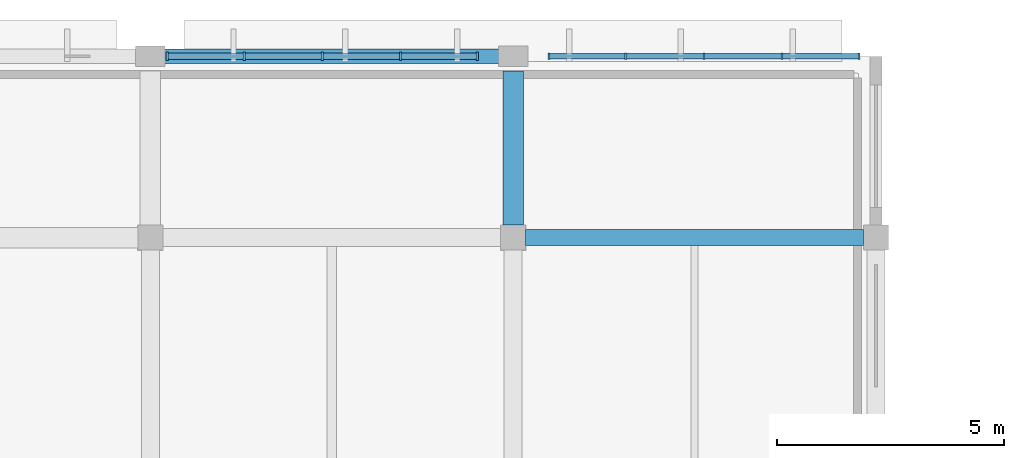
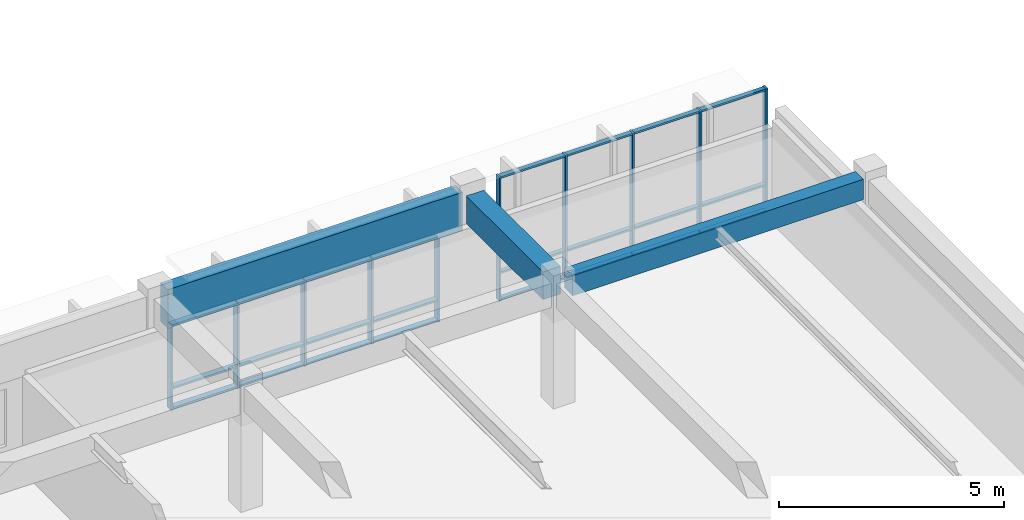
# One storey, part 25 of 155: 34 members, 3 beams, 2 elements without a shape of their own.
"""IFC4 building model written with IfcOpenShell, lengths in metres."""

from ifc_helpers import new_model, si_unit, direction, frame, origin, origin_2d, place, context, subcontext, project, spatial, rectangle, extrude, material, material_profile, profile_set, type_object, element, aggregate, save


model = new_model("IFC4")

# Units and contexts
model_context = context("Model", 3, precision=1e-05, world=origin(), true_north=direction((0.0, 1.0)))
body_context = subcontext(model_context, "Body", "Model", "MODEL_VIEW")
ifc_project = project(units=[si_unit("LENGTHUNIT", "METRE"), si_unit("AREAUNIT", "SQUARE_METRE"), si_unit("VOLUMEUNIT", "CUBIC_METRE"), si_unit("PLANEANGLEUNIT", "RADIAN"), si_unit("MASSUNIT", "GRAM", prefix="KILO")], contexts=[model_context])

# Site, building, storey
site_placement = place(None, origin())
site = spatial("IfcSite", under=ifc_project, at=site_placement, CompositionType="ELEMENT")
building_placement = place(site_placement, origin())
building = spatial("IfcBuilding", under=site, at=building_placement, Name="Larkveld Mobility Hub", CompositionType="ELEMENT")
storey_placement = place(building_placement, frame((0.0, 0.0, 8.39990234375)))
storey = spatial("IfcBuildingStorey", under=building, at=storey_placement, Name="L02", CompositionType="ELEMENT", Elevation=8.39990234375)

# Beams
ifc_material_1 = material(Name="Concrete C40/50", Category="concrete")
ifc_material_profile_1 = material_profile(ifc_material_1, rectangle(XDim=0.35009765625, YDim=0.550048828125, at=origin_2d()), Name="RC BM 350x550")
ifc_profile_set_1 = profile_set([ifc_material_profile_1], Name="Concrete C40/50")
beam_type_1 = type_object("IfcBeamType", Name="BM-RC3555", PredefinedType="BEAM", material=ifc_profile_set_1)
beam_1_placement = place(storey_placement, frame((88.27490234375, 122.0, 3.085205078125), z_axis=(1.0, 0.0, 0.0), x_axis=(0.0, 1.0, 0.0)))
element("IfcBeam", 1, at=beam_1_placement, inside=storey, type_object=beam_type_1, Name="Primary E-W Girder L02-0579", PredefinedType="BEAM", context=body_context, shape_type="SweptSolid", body=[
    extrude(rectangle(XDim=0.35009765625, YDim=0.550048828125, at=origin_2d()), origin(), (0.0, 0.0, 1.0), 7.4501953125),
])
ifc_material_profile_2 = material_profile(ifc_material_1, rectangle(XDim=0.449951171875, YDim=0.75, at=origin_2d()), Name="RC BM 450x750")
ifc_profile_set_2 = profile_set([ifc_material_profile_2], Name="Concrete C40/50")
beam_type_2 = type_object("IfcBeamType", Name="BM-RC4575", PredefinedType="BEAM", material=ifc_profile_set_2)
beam_2_placement = place(storey_placement, frame((88.0, 122.27490234375, 2.985107421875), z_axis=(0.0, 1.0, 0.0), x_axis=(-1.0, 0.0, 0.0)))
element("IfcBeam", 2, at=beam_2_placement, inside=storey, type_object=beam_type_2, Name="Primary N-S Girder L02-0617", PredefinedType="BEAM", context=body_context, shape_type="SweptSolid", body=[
    extrude(rectangle(XDim=0.449951171875, YDim=0.75, at=origin_2d()), origin(), (0.0, 0.0, 1.0), 3.400146484375),
])
ifc_material_2 = material(Name="Precast concrete C50/60", Category="concrete")
ifc_material_profile_3 = material_profile(ifc_material_2, rectangle(XDim=0.320068359375, YDim=1.050048828125, at=origin_2d()), Name="PC SP 320x1050")
ifc_profile_set_3 = profile_set([ifc_material_profile_3], Name="Precast concrete C50/60")
beam_type_3 = type_object("IfcBeamType", Name="BM-SP32105", PredefinedType="SPANDREL", material=ifc_profile_set_3)
beam_3_placement = place(storey_placement, frame((80.22509765625, 126.0, 2.835205078125), z_axis=(1.0, 0.0, 0.0), x_axis=(0.0, 1.0, 0.0)))
element("IfcBeam", 3, at=beam_3_placement, inside=storey, type_object=beam_type_3, Name="Primary E-W Girder L02-0587", PredefinedType="SPANDREL", context=body_context, shape_type="SweptSolid", body=[
    extrude(rectangle(XDim=0.320068359375, YDim=1.050048828125, at=origin_2d()), origin(), (0.0, 0.0, 1.0), 7.5498046875),
])

# Curtain wall, members
ifc_material_3 = material(Name="Anodised aluminium 6063-T6", Category="aluminium")
curtain_wall_type_1 = type_object("IfcCurtainWallType", Name="CW-SYS-01", PredefinedType="NOTDEFINED", material=ifc_material_3)
curtain_wall_1_placement = place(storey_placement, origin())
curtain_wall_1 = element("IfcCurtainWall", 4, at=curtain_wall_1_placement, inside=storey, type_object=curtain_wall_type_1, Name="Bicycle Hall North Curtain Wall L02 CW-085", PredefinedType="NOTDEFINED")
ifc_material_profile_4 = material_profile(ifc_material_3, rectangle(XDim=0.050048828125, YDim=0.14990234375, at=origin_2d()), Name="ALU MULL 50x150")
ifc_profile_set_4 = profile_set([ifc_material_profile_4], Name="Anodised aluminium 6063-T6")
member_type_1 = type_object("IfcMemberType", Name="CW-MUL-01", PredefinedType="MULLION", material=ifc_profile_set_4)
member_1_placement = place(storey_placement, frame((95.625, 126.0, -0.001953125), z_axis=(0.0, 0.0, 1.0), x_axis=(-1.0, 0.0, 0.0)))
member_1 = element("IfcMember", 5, at=member_1_placement, type_object=member_type_1, Name="CW01 mullion 1", PredefinedType="MULLION", context=body_context, shape_type="SweptSolid", body=[
    extrude(rectangle(XDim=0.050048828125, YDim=0.14990234375, at=origin_2d()), origin(), (0.0, 0.0, 1.0), 3.362060546875),
])
member_2_placement = place(storey_placement, frame((93.928955078125, 126.0, -0.001953125), z_axis=(0.0, 0.0, 1.0), x_axis=(-1.0, 0.0, 0.0)))
member_2 = element("IfcMember", 6, at=member_2_placement, type_object=member_type_1, Name="CW01 mullion 2", PredefinedType="MULLION", context=body_context, shape_type="SweptSolid", body=[
    extrude(rectangle(XDim=0.050048828125, YDim=0.14990234375, at=origin_2d()), origin(), (0.0, 0.0, 1.0), 3.362060546875),
])
member_3_placement = place(storey_placement, frame((92.2080078125, 126.0, -0.001953125), z_axis=(0.0, 0.0, 1.0), x_axis=(-1.0, 0.0, 0.0)))
member_3 = element("IfcMember", 7, at=member_3_placement, type_object=member_type_1, Name="CW01 mullion 3", PredefinedType="MULLION", context=body_context, shape_type="SweptSolid", body=[
    extrude(rectangle(XDim=0.050048828125, YDim=0.14990234375, at=origin_2d()), origin(), (0.0, 0.0, 1.0), 3.362060546875),
])
member_4_placement = place(storey_placement, frame((90.486083984375, 126.0, -0.001953125), z_axis=(0.0, 0.0, 1.0), x_axis=(-1.0, 0.0, 0.0)))
member_4 = element("IfcMember", 8, at=member_4_placement, type_object=member_type_1, Name="CW01 mullion 4", PredefinedType="MULLION", context=body_context, shape_type="SweptSolid", body=[
    extrude(rectangle(XDim=0.050048828125, YDim=0.14990234375, at=origin_2d()), origin(), (0.0, 0.0, 1.0), 3.362060546875),
])
member_5_placement = place(storey_placement, frame((88.7900390625, 126.0, -0.001953125), z_axis=(0.0, 0.0, 1.0), x_axis=(-1.0, 0.0, 0.0)))
member_5 = element("IfcMember", 9, at=member_5_placement, type_object=member_type_1, Name="CW01 mullion 5", PredefinedType="MULLION", context=body_context, shape_type="SweptSolid", body=[
    extrude(rectangle(XDim=0.050048828125, YDim=0.14990234375, at=origin_2d()), origin(), (0.0, 0.0, 1.0), 3.362060546875),
])

curtain_wall_type_2 = type_object("IfcCurtainWallType", Name="CW-SYS-02", PredefinedType="NOTDEFINED", material=ifc_material_3)
curtain_wall_2_placement = place(storey_placement, origin())
curtain_wall_2 = element("IfcCurtainWall", 10, at=curtain_wall_2_placement, inside=storey, type_object=curtain_wall_type_2, Name="Bicycle Hall North Curtain Wall L02 CW-086", PredefinedType="NOTDEFINED")
ifc_material_profile_5 = material_profile(ifc_material_3, rectangle(XDim=0.050048828125, YDim=0.179931640625, at=origin_2d()), Name="ALU MULL 50x180")
ifc_profile_set_5 = profile_set([ifc_material_profile_5], Name="Anodised aluminium 6063-T6")
member_type_2 = type_object("IfcMemberType", Name="CW-MUL-02", PredefinedType="MULLION", material=ifc_profile_set_5)
member_6_placement = place(storey_placement, frame((87.2099609375, 126.0, -0.001953125), z_axis=(0.0, 0.0, 1.0), x_axis=(-1.0, 0.0, 0.0)))
member_6 = element("IfcMember", 11, at=member_6_placement, type_object=member_type_2, Name="CW02 mullion 1", PredefinedType="MULLION", context=body_context, shape_type="SweptSolid", body=[
    extrude(rectangle(XDim=0.050048828125, YDim=0.179931640625, at=origin_2d()), origin(), (0.0, 0.0, 1.0), 2.31201171875),
])
member_7_placement = place(storey_placement, frame((85.513916015625, 126.0, -0.001953125), z_axis=(0.0, 0.0, 1.0), x_axis=(-1.0, 0.0, 0.0)))
member_7 = element("IfcMember", 12, at=member_7_placement, type_object=member_type_2, Name="CW02 mullion 2", PredefinedType="MULLION", context=body_context, shape_type="SweptSolid", body=[
    extrude(rectangle(XDim=0.050048828125, YDim=0.179931640625, at=origin_2d()), origin(), (0.0, 0.0, 1.0), 2.31201171875),
])
member_8_placement = place(storey_placement, frame((83.79296875, 126.0, -0.001953125), z_axis=(0.0, 0.0, 1.0), x_axis=(-1.0, 0.0, 0.0)))
member_8 = element("IfcMember", 13, at=member_8_placement, type_object=member_type_2, Name="CW02 mullion 3", PredefinedType="MULLION", context=body_context, shape_type="SweptSolid", body=[
    extrude(rectangle(XDim=0.050048828125, YDim=0.179931640625, at=origin_2d()), origin(), (0.0, 0.0, 1.0), 2.31201171875),
])
member_9_placement = place(storey_placement, frame((82.071044921875, 126.0, -0.001953125), z_axis=(0.0, 0.0, 1.0), x_axis=(-1.0, 0.0, 0.0)))
member_9 = element("IfcMember", 14, at=member_9_placement, type_object=member_type_2, Name="CW02 mullion 4", PredefinedType="MULLION", context=body_context, shape_type="SweptSolid", body=[
    extrude(rectangle(XDim=0.050048828125, YDim=0.179931640625, at=origin_2d()), origin(), (0.0, 0.0, 1.0), 2.31201171875),
])
member_10_placement = place(storey_placement, frame((80.375, 126.0, -0.001953125), z_axis=(0.0, 0.0, 1.0), x_axis=(-1.0, 0.0, 0.0)))
member_10 = element("IfcMember", 15, at=member_10_placement, type_object=member_type_2, Name="CW02 mullion 5", PredefinedType="MULLION", context=body_context, shape_type="SweptSolid", body=[
    extrude(rectangle(XDim=0.050048828125, YDim=0.179931640625, at=origin_2d()), origin(), (0.0, 0.0, 1.0), 2.31201171875),
])

# Member
ifc_material_profile_6 = material_profile(ifc_material_3, rectangle(XDim=0.1201171875, YDim=0.050048828125, at=origin_2d()), Name="ALU TRAN 50x120")
ifc_profile_set_6 = profile_set([ifc_material_profile_6], Name="Anodised aluminium 6063-T6")
member_type_3 = type_object("IfcMemberType", Name="CW-TRN-01", PredefinedType="USERDEFINED", material=ifc_profile_set_6)
member_11_placement = place(storey_placement, frame((95.614990234375, 126.0, 0.030029296875), z_axis=(-1.0, 0.0, 0.0), x_axis=(0.0, -1.0, 0.0)))
member_11 = element("IfcMember", 16, at=member_11_placement, type_object=member_type_3, Name="CW01 transom 1.1", ObjectType="TRANSOM", PredefinedType="USERDEFINED", context=body_context, shape_type="SweptSolid", body=[
    extrude(rectangle(XDim=0.1201171875, YDim=0.050048828125, at=origin_2d()), origin(), (0.0, 0.0, 1.0), 1.6708984375),
])

member_12_placement = place(storey_placement, frame((95.614990234375, 126.0, 0.75), z_axis=(-1.0, 0.0, 0.0), x_axis=(0.0, -1.0, 0.0)))
member_12 = element("IfcMember", 17, at=member_12_placement, type_object=member_type_3, Name="CW01 transom 1.2", ObjectType="TRANSOM", PredefinedType="USERDEFINED", context=body_context, shape_type="SweptSolid", body=[
    extrude(rectangle(XDim=0.1201171875, YDim=0.050048828125, at=origin_2d()), origin(), (0.0, 0.0, 1.0), 1.6708984375),
])

member_13_placement = place(storey_placement, frame((95.614990234375, 126.0, 3.328125), z_axis=(-1.0, 0.0, 0.0), x_axis=(0.0, -1.0, 0.0)))
member_13 = element("IfcMember", 18, at=member_13_placement, type_object=member_type_3, Name="CW01 transom 1.3", ObjectType="TRANSOM", PredefinedType="USERDEFINED", context=body_context, shape_type="SweptSolid", body=[
    extrude(rectangle(XDim=0.1201171875, YDim=0.050048828125, at=origin_2d()), origin(), (0.0, 0.0, 1.0), 1.6708984375),
])

member_14_placement = place(storey_placement, frame((93.9140625, 126.0, 0.030029296875), z_axis=(-1.0, 0.0, 0.0), x_axis=(0.0, -1.0, 0.0)))
member_14 = element("IfcMember", 19, at=member_14_placement, type_object=member_type_3, Name="CW01 transom 2.1", ObjectType="TRANSOM", PredefinedType="USERDEFINED", context=body_context, shape_type="SweptSolid", body=[
    extrude(rectangle(XDim=0.1201171875, YDim=0.050048828125, at=origin_2d()), origin(), (0.0, 0.0, 1.0), 1.691162109375),
])

member_15_placement = place(storey_placement, frame((93.9140625, 126.0, 0.75), z_axis=(-1.0, 0.0, 0.0), x_axis=(0.0, -1.0, 0.0)))
member_15 = element("IfcMember", 20, at=member_15_placement, type_object=member_type_3, Name="CW01 transom 2.2", ObjectType="TRANSOM", PredefinedType="USERDEFINED", context=body_context, shape_type="SweptSolid", body=[
    extrude(rectangle(XDim=0.1201171875, YDim=0.050048828125, at=origin_2d()), origin(), (0.0, 0.0, 1.0), 1.691162109375),
])

member_16_placement = place(storey_placement, frame((93.9140625, 126.0, 3.328125), z_axis=(-1.0, 0.0, 0.0), x_axis=(0.0, -1.0, 0.0)))
member_16 = element("IfcMember", 21, at=member_16_placement, type_object=member_type_3, Name="CW01 transom 2.3", ObjectType="TRANSOM", PredefinedType="USERDEFINED", context=body_context, shape_type="SweptSolid", body=[
    extrude(rectangle(XDim=0.1201171875, YDim=0.050048828125, at=origin_2d()), origin(), (0.0, 0.0, 1.0), 1.691162109375),
])

member_17_placement = place(storey_placement, frame((92.193115234375, 126.0, 0.030029296875), z_axis=(-1.0, 0.0, 0.0), x_axis=(0.0, -1.0, 0.0)))
member_17 = element("IfcMember", 22, at=member_17_placement, type_object=member_type_3, Name="CW01 transom 3.1", ObjectType="TRANSOM", PredefinedType="USERDEFINED", context=body_context, shape_type="SweptSolid", body=[
    extrude(rectangle(XDim=0.1201171875, YDim=0.050048828125, at=origin_2d()), origin(), (0.0, 0.0, 1.0), 1.692138671875),
])

member_18_placement = place(storey_placement, frame((92.193115234375, 126.0, 0.75), z_axis=(-1.0, 0.0, 0.0), x_axis=(0.0, -1.0, 0.0)))
member_18 = element("IfcMember", 23, at=member_18_placement, type_object=member_type_3, Name="CW01 transom 3.2", ObjectType="TRANSOM", PredefinedType="USERDEFINED", context=body_context, shape_type="SweptSolid", body=[
    extrude(rectangle(XDim=0.1201171875, YDim=0.050048828125, at=origin_2d()), origin(), (0.0, 0.0, 1.0), 1.692138671875),
])

member_19_placement = place(storey_placement, frame((92.193115234375, 126.0, 3.328125), z_axis=(-1.0, 0.0, 0.0), x_axis=(0.0, -1.0, 0.0)))
member_19 = element("IfcMember", 24, at=member_19_placement, type_object=member_type_3, Name="CW01 transom 3.3", ObjectType="TRANSOM", PredefinedType="USERDEFINED", context=body_context, shape_type="SweptSolid", body=[
    extrude(rectangle(XDim=0.1201171875, YDim=0.050048828125, at=origin_2d()), origin(), (0.0, 0.0, 1.0), 1.692138671875),
])

member_20_placement = place(storey_placement, frame((90.470947265625, 126.0, 0.030029296875), z_axis=(-1.0, 0.0, 0.0), x_axis=(0.0, -1.0, 0.0)))
member_20 = element("IfcMember", 25, at=member_20_placement, type_object=member_type_3, Name="CW01 transom 4.1", ObjectType="TRANSOM", PredefinedType="USERDEFINED", context=body_context, shape_type="SweptSolid", body=[
    extrude(rectangle(XDim=0.1201171875, YDim=0.050048828125, at=origin_2d()), origin(), (0.0, 0.0, 1.0), 1.6708984375),
])

member_21_placement = place(storey_placement, frame((90.470947265625, 126.0, 0.75), z_axis=(-1.0, 0.0, 0.0), x_axis=(0.0, -1.0, 0.0)))
member_21 = element("IfcMember", 26, at=member_21_placement, type_object=member_type_3, Name="CW01 transom 4.2", ObjectType="TRANSOM", PredefinedType="USERDEFINED", context=body_context, shape_type="SweptSolid", body=[
    extrude(rectangle(XDim=0.1201171875, YDim=0.050048828125, at=origin_2d()), origin(), (0.0, 0.0, 1.0), 1.6708984375),
])

member_22_placement = place(storey_placement, frame((90.470947265625, 126.0, 3.328125), z_axis=(-1.0, 0.0, 0.0), x_axis=(0.0, -1.0, 0.0)))
member_22 = element("IfcMember", 27, at=member_22_placement, type_object=member_type_3, Name="CW01 transom 4.3", ObjectType="TRANSOM", PredefinedType="USERDEFINED", context=body_context, shape_type="SweptSolid", body=[
    extrude(rectangle(XDim=0.1201171875, YDim=0.050048828125, at=origin_2d()), origin(), (0.0, 0.0, 1.0), 1.6708984375),
])

aggregate(curtain_wall_1, [member_1, member_2, member_3, member_4, member_5, member_11, member_12, member_13, member_14, member_15, member_16, member_17, member_18, member_19, member_20, member_21, member_22])

ifc_material_profile_7 = material_profile(ifc_material_3, rectangle(XDim=0.14990234375, YDim=0.050048828125, at=origin_2d()), Name="ALU TRAN 50x150")
ifc_profile_set_7 = profile_set([ifc_material_profile_7], Name="Anodised aluminium 6063-T6")
member_type_4 = type_object("IfcMemberType", Name="CW-TRN-02", PredefinedType="USERDEFINED", material=ifc_profile_set_7)
member_23_placement = place(storey_placement, frame((87.199951171875, 126.0, 0.030029296875), z_axis=(-1.0, 0.0, 0.0), x_axis=(0.0, -1.0, 0.0)))
member_23 = element("IfcMember", 28, at=member_23_placement, type_object=member_type_4, Name="CW02 transom 1.1", ObjectType="TRANSOM", PredefinedType="USERDEFINED", context=body_context, shape_type="SweptSolid", body=[
    extrude(rectangle(XDim=0.14990234375, YDim=0.050048828125, at=origin_2d()), origin(), (0.0, 0.0, 1.0), 1.6708984375),
])

member_24_placement = place(storey_placement, frame((87.199951171875, 126.0, 0.5771484375), z_axis=(-1.0, 0.0, 0.0), x_axis=(0.0, -1.0, 0.0)))
member_24 = element("IfcMember", 29, at=member_24_placement, type_object=member_type_4, Name="CW02 transom 1.2", ObjectType="TRANSOM", PredefinedType="USERDEFINED", context=body_context, shape_type="SweptSolid", body=[
    extrude(rectangle(XDim=0.14990234375, YDim=0.050048828125, at=origin_2d()), origin(), (0.0, 0.0, 1.0), 1.6708984375),
])

member_25_placement = place(storey_placement, frame((87.199951171875, 126.0, 2.278076171875), z_axis=(-1.0, 0.0, 0.0), x_axis=(0.0, -1.0, 0.0)))
member_25 = element("IfcMember", 30, at=member_25_placement, type_object=member_type_4, Name="CW02 transom 1.3", ObjectType="TRANSOM", PredefinedType="USERDEFINED", context=body_context, shape_type="SweptSolid", body=[
    extrude(rectangle(XDim=0.14990234375, YDim=0.050048828125, at=origin_2d()), origin(), (0.0, 0.0, 1.0), 1.6708984375),
])

member_26_placement = place(storey_placement, frame((85.4990234375, 126.0, 0.030029296875), z_axis=(-1.0, 0.0, 0.0), x_axis=(0.0, -1.0, 0.0)))
member_26 = element("IfcMember", 31, at=member_26_placement, type_object=member_type_4, Name="CW02 transom 2.1", ObjectType="TRANSOM", PredefinedType="USERDEFINED", context=body_context, shape_type="SweptSolid", body=[
    extrude(rectangle(XDim=0.14990234375, YDim=0.050048828125, at=origin_2d()), origin(), (0.0, 0.0, 1.0), 1.69091796875),
])

member_27_placement = place(storey_placement, frame((85.4990234375, 126.0, 0.5771484375), z_axis=(-1.0, 0.0, 0.0), x_axis=(0.0, -1.0, 0.0)))
member_27 = element("IfcMember", 32, at=member_27_placement, type_object=member_type_4, Name="CW02 transom 2.2", ObjectType="TRANSOM", PredefinedType="USERDEFINED", context=body_context, shape_type="SweptSolid", body=[
    extrude(rectangle(XDim=0.14990234375, YDim=0.050048828125, at=origin_2d()), origin(), (0.0, 0.0, 1.0), 1.69091796875),
])

member_28_placement = place(storey_placement, frame((85.4990234375, 126.0, 2.278076171875), z_axis=(-1.0, 0.0, 0.0), x_axis=(0.0, -1.0, 0.0)))
member_28 = element("IfcMember", 33, at=member_28_placement, type_object=member_type_4, Name="CW02 transom 2.3", ObjectType="TRANSOM", PredefinedType="USERDEFINED", context=body_context, shape_type="SweptSolid", body=[
    extrude(rectangle(XDim=0.14990234375, YDim=0.050048828125, at=origin_2d()), origin(), (0.0, 0.0, 1.0), 1.69091796875),
])

member_29_placement = place(storey_placement, frame((83.778076171875, 126.0, 0.030029296875), z_axis=(-1.0, 0.0, 0.0), x_axis=(0.0, -1.0, 0.0)))
member_29 = element("IfcMember", 34, at=member_29_placement, type_object=member_type_4, Name="CW02 transom 3.1", ObjectType="TRANSOM", PredefinedType="USERDEFINED", context=body_context, shape_type="SweptSolid", body=[
    extrude(rectangle(XDim=0.14990234375, YDim=0.050048828125, at=origin_2d()), origin(), (0.0, 0.0, 1.0), 1.692138671875),
])

member_30_placement = place(storey_placement, frame((83.778076171875, 126.0, 0.5771484375), z_axis=(-1.0, 0.0, 0.0), x_axis=(0.0, -1.0, 0.0)))
member_30 = element("IfcMember", 35, at=member_30_placement, type_object=member_type_4, Name="CW02 transom 3.2", ObjectType="TRANSOM", PredefinedType="USERDEFINED", context=body_context, shape_type="SweptSolid", body=[
    extrude(rectangle(XDim=0.14990234375, YDim=0.050048828125, at=origin_2d()), origin(), (0.0, 0.0, 1.0), 1.692138671875),
])

member_31_placement = place(storey_placement, frame((83.778076171875, 126.0, 2.278076171875), z_axis=(-1.0, 0.0, 0.0), x_axis=(0.0, -1.0, 0.0)))
member_31 = element("IfcMember", 36, at=member_31_placement, type_object=member_type_4, Name="CW02 transom 3.3", ObjectType="TRANSOM", PredefinedType="USERDEFINED", context=body_context, shape_type="SweptSolid", body=[
    extrude(rectangle(XDim=0.14990234375, YDim=0.050048828125, at=origin_2d()), origin(), (0.0, 0.0, 1.0), 1.692138671875),
])

member_32_placement = place(storey_placement, frame((82.055908203125, 126.0, 0.030029296875), z_axis=(-1.0, 0.0, 0.0), x_axis=(0.0, -1.0, 0.0)))
member_32 = element("IfcMember", 37, at=member_32_placement, type_object=member_type_4, Name="CW02 transom 4.1", ObjectType="TRANSOM", PredefinedType="USERDEFINED", context=body_context, shape_type="SweptSolid", body=[
    extrude(rectangle(XDim=0.14990234375, YDim=0.050048828125, at=origin_2d()), origin(), (0.0, 0.0, 1.0), 1.6708984375),
])

member_33_placement = place(storey_placement, frame((82.055908203125, 126.0, 0.5771484375), z_axis=(-1.0, 0.0, 0.0), x_axis=(0.0, -1.0, 0.0)))
member_33 = element("IfcMember", 38, at=member_33_placement, type_object=member_type_4, Name="CW02 transom 4.2", ObjectType="TRANSOM", PredefinedType="USERDEFINED", context=body_context, shape_type="SweptSolid", body=[
    extrude(rectangle(XDim=0.14990234375, YDim=0.050048828125, at=origin_2d()), origin(), (0.0, 0.0, 1.0), 1.6708984375),
])

member_34_placement = place(storey_placement, frame((82.055908203125, 126.0, 2.278076171875), z_axis=(-1.0, 0.0, 0.0), x_axis=(0.0, -1.0, 0.0)))
member_34 = element("IfcMember", 39, at=member_34_placement, type_object=member_type_4, Name="CW02 transom 4.3", ObjectType="TRANSOM", PredefinedType="USERDEFINED", context=body_context, shape_type="SweptSolid", body=[
    extrude(rectangle(XDim=0.14990234375, YDim=0.050048828125, at=origin_2d()), origin(), (0.0, 0.0, 1.0), 1.6708984375),
])

aggregate(curtain_wall_2, [member_6, member_7, member_8, member_9, member_10, member_23, member_24, member_25, member_26, member_27, member_28, member_29, member_30, member_31, member_32, member_33, member_34])

save(model, "model.ifc")
